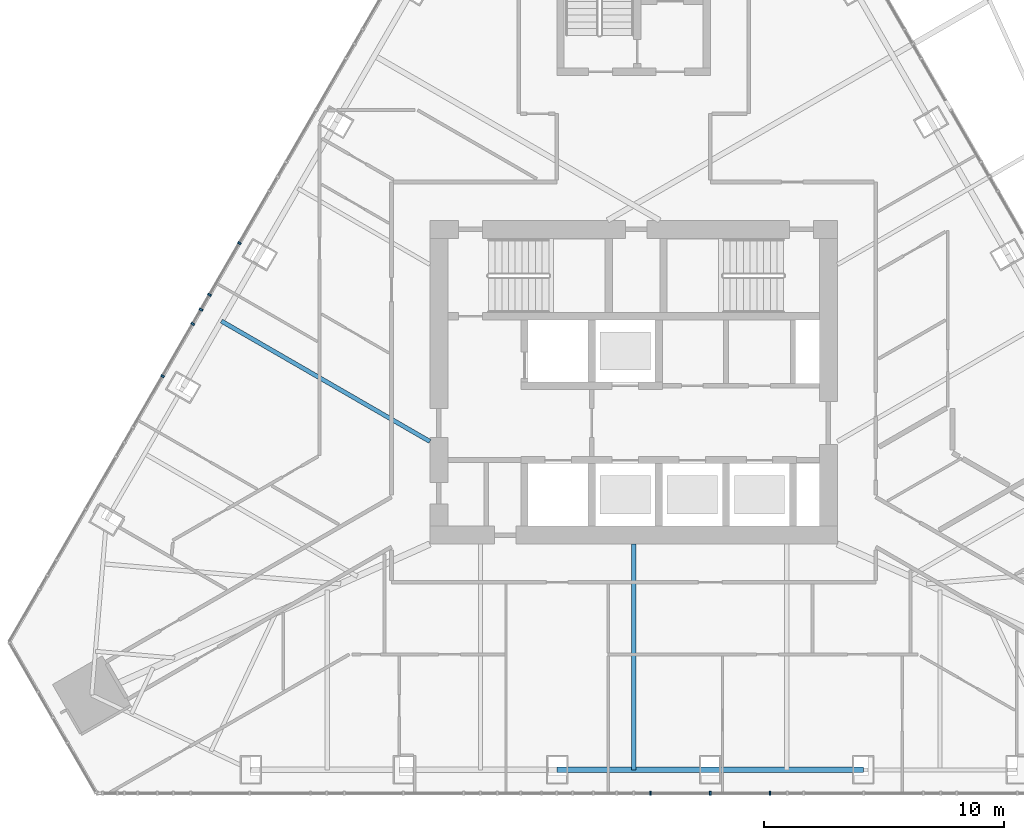
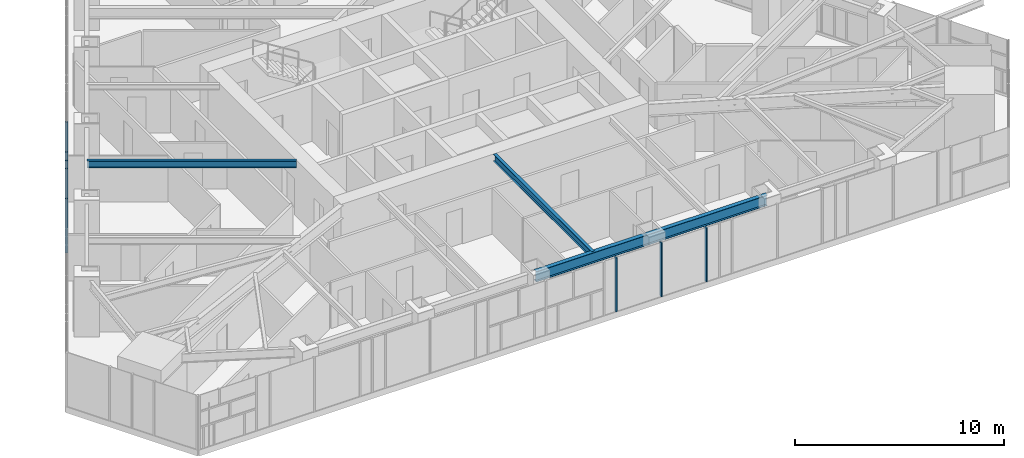
# One storey, part 4 of 26: 8 members, 3 beams, 2 elements without a shape of their own.
"""IFC4 building model written with IfcOpenShell, lengths in metres."""

from ifc_helpers import new_model, si_unit, direction, frame, origin, origin_2d, place, context, subcontext, project, spatial, rectangle, i_section, extrude, material, layer, layer_set, material_profile, profile_set, type_object, element, aggregate, save


model = new_model("IFC4")

# Units and contexts
model_context = context("Model", 3, precision=1e-05, world=origin(), true_north=direction((0.0, 1.0)))
body_context = subcontext(model_context, "Body", "Model", "MODEL_VIEW")
ifc_project = project(units=[si_unit("LENGTHUNIT", "METRE"), si_unit("AREAUNIT", "SQUARE_METRE"), si_unit("VOLUMEUNIT", "CUBIC_METRE"), si_unit("PLANEANGLEUNIT", "RADIAN"), si_unit("MASSUNIT", "GRAM", prefix="KILO")], contexts=[model_context])

# Site, building, storey
site_placement = place(None, origin())
site = spatial("IfcSite", under=ifc_project, at=site_placement, CompositionType="ELEMENT")
building_placement = place(site_placement, origin())
building = spatial("IfcBuilding", under=site, at=building_placement, Name="Firuza Gate Tower and Library", CompositionType="ELEMENT")
storey_placement = place(building_placement, frame((0.0, 0.0, 288.10009765625)))
storey = spatial("IfcBuildingStorey", under=building, at=storey_placement, Name="L69", CompositionType="ELEMENT", Elevation=288.10009765625)

# Curtain wall, members
ifc_material_1 = material(Name="Aluminium 6063-T6", Category="aluminium")
ifc_layer = layer(ifc_material_1, 0.14990234375)
ifc_layer_set = layer_set([ifc_layer], Name="Unitised curtain wall, residences")
curtain_wall_type = type_object("IfcCurtainWallType", Name="Unitised curtain wall, residences", PredefinedType="NOTDEFINED", material=ifc_layer_set)
placement = place(storey_placement, origin())
curtain_wall_1 = element("IfcCurtainWall", 1, at=placement, inside=storey, type_object=curtain_wall_type, Name="CW3 L69 S face", PredefinedType="NOTDEFINED")
ifc_material_2 = material(Name="Aluminium 6063-T6", Category="aluminium")
ifc_material_profile_1 = material_profile(ifc_material_2, rectangle(XDim=0.14990234375, YDim=0.080078125, at=origin_2d()))
ifc_profile_set_1 = profile_set([ifc_material_profile_1], Name="Aluminium 6063-T6")
member_type = type_object("IfcMemberType", Name="Curtain wall mullion 80x150", PredefinedType="MULLION", material=ifc_profile_set_1)
member_1_placement = place(storey_placement, frame((78.200927734375, 57.85693359375, 0.14990234375), z_axis=(0.0, 0.0, 1.0), x_axis=(0.0, 1.0, 0.0)))
member_1 = element("IfcMember", 2, at=member_1_placement, type_object=member_type, Name="Mullion", PredefinedType="MULLION", context=body_context, shape_type="SweptSolid", body=[
    extrude(rectangle(XDim=0.14990234375, YDim=0.080078125, at=origin_2d()), origin(), (0.0, 0.0, 1.0), 3.14990234375),
])
member_2_placement = place(storey_placement, frame((75.701416015625, 57.85693359375, 0.14990234375), z_axis=(0.0, 0.0, 1.0), x_axis=(0.0, 1.0, 0.0)))
member_2 = element("IfcMember", 3, at=member_2_placement, type_object=member_type, Name="Mullion", PredefinedType="MULLION", context=body_context, shape_type="SweptSolid", body=[
    extrude(rectangle(XDim=0.14990234375, YDim=0.080078125, at=origin_2d()), origin(), (0.0, 0.0, 1.0), 3.14990234375),
])
member_3_placement = place(storey_placement, frame((80.68798828125, 57.85693359375, 0.14990234375), z_axis=(0.0, 0.0, 1.0), x_axis=(0.0, 1.0, 0.0)))
member_3 = element("IfcMember", 4, at=member_3_placement, type_object=member_type, Name="Mullion", PredefinedType="MULLION", context=body_context, shape_type="SweptSolid", body=[
    extrude(rectangle(XDim=0.14990234375, YDim=0.080078125, at=origin_2d()), origin(), (0.0, 0.0, 1.0), 3.14990234375),
])
aggregate(curtain_wall_1, [member_1, member_2, member_3])

curtain_wall_2 = element("IfcCurtainWall", 5, at=placement, inside=storey, type_object=curtain_wall_type, Name="CW3 L69 W face", PredefinedType="NOTDEFINED")
member_4_placement = place(storey_placement, frame((58.55322265625, 80.799560546875, 0.14990234375), z_axis=(0.0, 0.0, 1.0), x_axis=(0.866025403784, -0.5, 0.0)))
member_4 = element("IfcMember", 6, at=member_4_placement, type_object=member_type, Name="Mullion", PredefinedType="MULLION", context=body_context, shape_type="SweptSolid", body=[
    extrude(rectangle(XDim=0.14990234375, YDim=0.080078125, at=origin_2d()), origin(), (0.0, 0.0, 1.0), 3.14990234375),
])
member_5_placement = place(storey_placement, frame((56.952880859375, 78.027587890625, 0.14990234375), z_axis=(0.0, 0.0, 1.0), x_axis=(0.866025403784, -0.5, 0.0)))
member_5 = element("IfcMember", 7, at=member_5_placement, type_object=member_type, Name="Mullion", PredefinedType="MULLION", context=body_context, shape_type="SweptSolid", body=[
    extrude(rectangle(XDim=0.14990234375, YDim=0.080078125, at=origin_2d()), origin(), (0.0, 0.0, 1.0), 3.14990234375),
])
member_6_placement = place(storey_placement, frame((55.3525390625, 75.25537109375, 0.14990234375), z_axis=(0.0, 0.0, 1.0), x_axis=(0.866025403784, -0.5, 0.0)))
member_6 = element("IfcMember", 8, at=member_6_placement, type_object=member_type, Name="Mullion", PredefinedType="MULLION", context=body_context, shape_type="SweptSolid", body=[
    extrude(rectangle(XDim=0.14990234375, YDim=0.080078125, at=origin_2d()), origin(), (0.0, 0.0, 1.0), 3.14990234375),
])
member_7_placement = place(storey_placement, frame((57.309814453125, 78.645751953125, 0.14990234375), z_axis=(0.0, 0.0, 1.0), x_axis=(0.866025403784, -0.5, 0.0)))
member_7 = element("IfcMember", 9, at=member_7_placement, type_object=member_type, Name="Mullion", PredefinedType="MULLION", context=body_context, shape_type="SweptSolid", body=[
    extrude(rectangle(XDim=0.14990234375, YDim=0.080078125, at=origin_2d()), origin(), (0.0, 0.0, 1.0), 3.14990234375),
])
member_8_placement = place(storey_placement, frame((56.6083984375, 77.4306640625, 0.14990234375), z_axis=(0.0, 0.0, 1.0), x_axis=(0.866025403784, -0.5, 0.0)))
member_8 = element("IfcMember", 10, at=member_8_placement, type_object=member_type, Name="Mullion", PredefinedType="MULLION", context=body_context, shape_type="SweptSolid", body=[
    extrude(rectangle(XDim=0.14990234375, YDim=0.080078125, at=origin_2d()), origin(), (0.0, 0.0, 1.0), 3.14990234375),
])
aggregate(curtain_wall_2, [member_4, member_5, member_6, member_7, member_8])

# Beams
ifc_material_3 = material(Name="Steel S355", Category="steel")
ifc_material_profile_2 = material_profile(ifc_material_3, i_section(OverallWidth=0.177978515625, OverallDepth=0.406982421875, WebThickness=0.0078125, FlangeThickness=0.0126953125, at=origin_2d()))
ifc_profile_set_2 = profile_set([ifc_material_profile_2], Name="Steel S355")
beam_type_1 = type_object("IfcBeamType", Name="W410x60 Floor beam", PredefinedType="JOIST", material=ifc_profile_set_2)
beam_1_placement = place(storey_placement, frame((75.0, 58.83203125, 3.096435546875), z_axis=(0.0, 1.0, 0.0), x_axis=(-1.0, 0.0, 0.0)))
element("IfcBeam", 11, at=beam_1_placement, inside=storey, type_object=beam_type_1, Name="Floor beam L69 s22", PredefinedType="JOIST", context=body_context, shape_type="SweptSolid", body=[
    extrude(i_section(OverallWidth=0.177978515625, OverallDepth=0.406982421875, WebThickness=0.0078125, FlangeThickness=0.0126953125, at=origin_2d()), origin(), (0.0, 0.0, 1.0), 9.41796875),
])
beam_2_placement = place(storey_placement, frame((57.803466796875, 77.55078125, 3.096435546875), z_axis=(0.866023234473, -0.500003757339, 0.0), x_axis=(0.500003757339, 0.866023234473, 0.0)))
element("IfcBeam", 12, at=beam_2_placement, inside=storey, type_object=beam_type_1, Name="Floor beam L69 s83", PredefinedType="JOIST", context=body_context, shape_type="SweptSolid", body=[
    extrude(i_section(OverallWidth=0.177978515625, OverallDepth=0.406982421875, WebThickness=0.0078125, FlangeThickness=0.0126953125, at=origin_2d()), origin(), (0.0, 0.0, 1.0), 10.0419921875),
])
ifc_material_4 = material(Name="Steel S355", Category="steel")
ifc_material_profile_3 = material_profile(ifc_material_4, i_section(OverallWidth=0.22900390625, OverallDepth=0.612060546875, WebThickness=0.011962890625, FlangeThickness=0.01953125, at=origin_2d()))
ifc_profile_set_3 = profile_set([ifc_material_profile_3], Name="Steel S355")
beam_type_2 = type_object("IfcBeamType", Name="W610x125 Edge beam", PredefinedType="SPANDREL", material=ifc_profile_set_3)
beam_3_placement = place(storey_placement, frame((71.805419921875, 58.83203125, 2.993896484375), z_axis=(1.0, 0.0, 0.0), x_axis=(0.0, 1.0, 0.0)))
element("IfcBeam", 13, at=beam_3_placement, inside=storey, type_object=beam_type_2, Name="Edge beam L69 e22", PredefinedType="SPANDREL", context=body_context, shape_type="SweptSolid", body=[
    extrude(i_section(OverallWidth=0.22900390625, OverallDepth=0.612060546875, WebThickness=0.011962890625, FlangeThickness=0.01953125, at=origin_2d()), origin(), (0.0, 0.0, 1.0), 12.778564453125),
])

save(model, "model.ifc")
